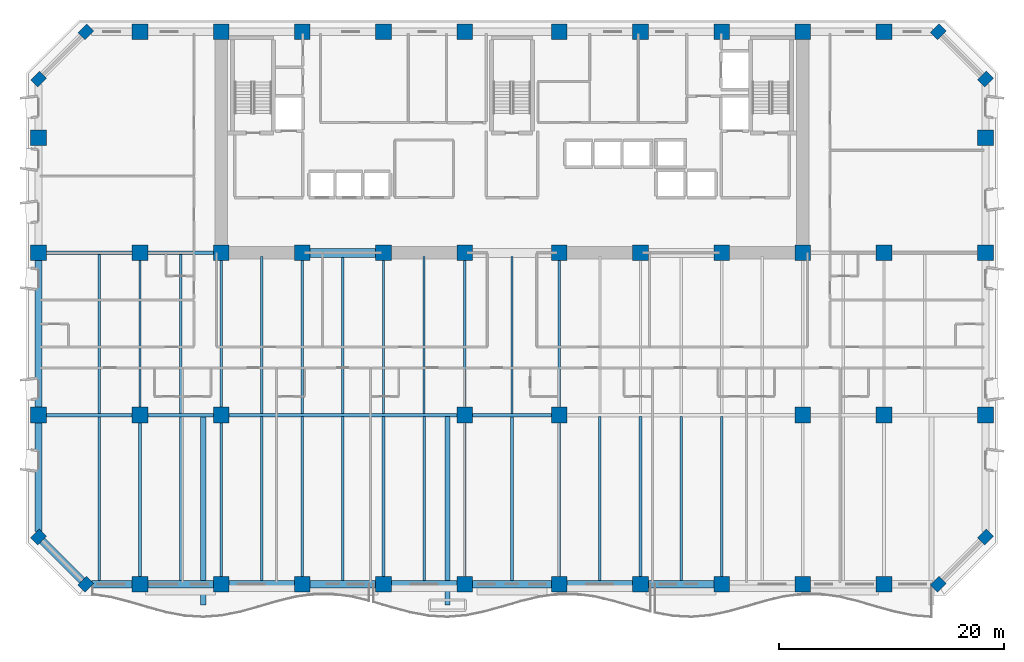
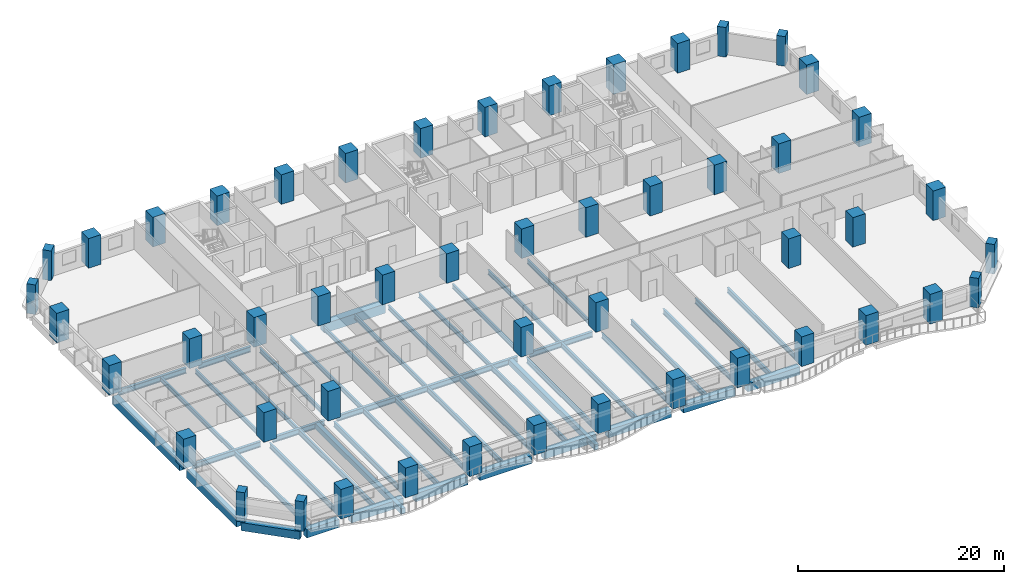
# One storey, part 1 of 15: 50 columns, 48 beams.
"""IFC4 building model written with IfcOpenShell, lengths in metres."""

from ifc_helpers import new_model, si_unit, direction, frame, origin, origin_2d, place, context, subcontext, project, spatial, rectangle, i_section, extrude, material, material_profile, profile_set, type_object, element, save


model = new_model("IFC4")

# Units and contexts
model_context = context("Model", 3, precision=1e-05, world=origin(), true_north=direction((0.0, 1.0)))
body_context = subcontext(model_context, "Body", "Model", "MODEL_VIEW")
ifc_project = project(units=[si_unit("LENGTHUNIT", "METRE"), si_unit("AREAUNIT", "SQUARE_METRE"), si_unit("VOLUMEUNIT", "CUBIC_METRE"), si_unit("PLANEANGLEUNIT", "RADIAN"), si_unit("MASSUNIT", "GRAM", prefix="KILO")], contexts=[model_context])

# Site, building, storey
site_placement = place(None, origin())
site = spatial("IfcSite", under=ifc_project, at=site_placement, CompositionType="ELEMENT")
building_placement = place(site_placement, origin())
building = spatial("IfcBuilding", under=site, at=building_placement, Name="Kaelvorn Grand Hotel", CompositionType="ELEMENT")
storey_placement = place(building_placement, frame((0.0, 0.0, 72.64990234375)))
storey = spatial("IfcBuildingStorey", under=building, at=storey_placement, Name="L16", CompositionType="ELEMENT", Elevation=72.64990234375)

# Columns
ifc_material_1 = material(Name="Concrete C80/95", Category="concrete")
ifc_material_profile_1 = material_profile(ifc_material_1, rectangle(XDim=1.10009765625, YDim=0.89990234375, at=origin_2d()), Name="RC PILASTER 1100x900")
ifc_profile_set_1 = profile_set([ifc_material_profile_1], Name="Concrete C80/95")
column_type_1 = type_object("IfcColumnType", Name="COL-PIL-1100x900-C80", PredefinedType="PILASTER", material=ifc_profile_set_1)
for number, where, z_axis, x_axis, name in (
    (1, (4.199951171875, 0.0, 0.0), (0.0, 0.0, 1.0), (0.707106781187, 0.707106781187, 0.0), "L16 Structural Column CH-01"),
    (2, (79.800048828125, 0.0, 0.0), (0.0, 0.0, 1.0), (0.707106781187, 0.707106781187, 0.0), "L16 Structural Column CH-02"),
    (3, (84.0, 4.199951171875, 0.0), (0.0, 0.0, 1.0), (0.707106781187, 0.707106781187, 0.0), "L16 Structural Column CH-03"),
    (4, (84.0, 44.800048828125, 0.0), (0.0, 0.0, 1.0), (0.707106781187, 0.707106781187, 0.0), "L16 Structural Column CH-04"),
    (5, (79.800048828125, 49.0, 0.0), (0.0, 0.0, 1.0), (0.707106781187, 0.707106781187, 0.0), "L16 Structural Column CH-05"),
    (6, (4.199951171875, 49.0, 0.0), (0.0, 0.0, 1.0), (0.707106781187, 0.707106781187, 0.0), "L16 Structural Column CH-06"),
    (7, (0.0, 44.800048828125, 0.0), (0.0, 0.0, 1.0), (0.707106781187, 0.707106781187, 0.0), "L16 Structural Column CH-07"),
    (8, (0.0, 4.199951171875, 0.0), (0.0, 0.0, 1.0), (0.707106781187, 0.707106781187, 0.0), "L16 Structural Column CH-08"),
):
    element("IfcColumn", number, at=place(storey_placement, frame(where, z_axis=z_axis, x_axis=x_axis)), inside=storey, type_object=column_type_1, Name=name, PredefinedType="PILASTER", context=body_context, shape_type="SweptSolid", body=[
        extrude(rectangle(XDim=1.10009765625, YDim=0.89990234375, at=origin_2d()), origin(), (0.0, 0.0, 1.0), 3.510009765625),
    ])
ifc_material_profile_2 = material_profile(ifc_material_1, rectangle(XDim=1.39990234375, YDim=1.39990234375, at=origin_2d()), Name="RC COL 1400x1400")
ifc_profile_set_2 = profile_set([ifc_material_profile_2], Name="Concrete C80/95")
column_type_2 = type_object("IfcColumnType", Name="COL-RC-1400-C80", PredefinedType="COLUMN", material=ifc_profile_set_2)
for number, where, z_axis, x_axis, name in (
    (9, (9.0, 0.0, 0.0), (0.0, 0.0, 1.0), (1.0, 0.0, 0.0), "L16 Structural Column S-01"),
    (10, (16.199951171875, 0.0, 0.0), (0.0, 0.0, 1.0), (1.0, 0.0, 0.0), "L16 Structural Column S-02"),
    (11, (23.39990234375, 0.0, 0.0), (0.0, 0.0, 1.0), (1.0, 0.0, 0.0), "L16 Structural Column S-03"),
    (12, (30.60009765625, 0.0, 0.0), (0.0, 0.0, 1.0), (1.0, 0.0, 0.0), "L16 Structural Column S-04"),
    (13, (37.800048828125, 0.0, 0.0), (0.0, 0.0, 1.0), (1.0, 0.0, 0.0), "L16 Structural Column S-05"),
    (14, (46.199951171875, 0.0, 0.0), (0.0, 0.0, 1.0), (1.0, 0.0, 0.0), "L16 Structural Column S-06"),
    (15, (53.39990234375, 0.0, 0.0), (0.0, 0.0, 1.0), (1.0, 0.0, 0.0), "L16 Structural Column S-07"),
    (16, (60.60009765625, 0.0, 0.0), (0.0, 0.0, 1.0), (1.0, 0.0, 0.0), "L16 Structural Column S-08"),
    (17, (67.800048828125, 0.0, 0.0), (0.0, 0.0, 1.0), (1.0, 0.0, 0.0), "L16 Structural Column S-09"),
    (18, (75.0, 0.0, 0.0), (0.0, 0.0, 1.0), (1.0, 0.0, 0.0), "L16 Structural Column S-10"),
    (19, (0.0, 15.0, 0.0), (0.0, 0.0, 1.0), (1.0, 0.0, 0.0), "L16 Structural Column W-01"),
    (20, (84.0, 15.0, 0.0), (0.0, 0.0, 1.0), (1.0, 0.0, 0.0), "L16 Structural Column E-01"),
    (21, (0.0, 29.39990234375, 0.0), (0.0, 0.0, 1.0), (1.0, 0.0, 0.0), "L16 Structural Column W-02"),
    (22, (84.0, 29.39990234375, 0.0), (0.0, 0.0, 1.0), (1.0, 0.0, 0.0), "L16 Structural Column E-02"),
    (23, (0.0, 39.60009765625, 0.0), (0.0, 0.0, 1.0), (1.0, 0.0, 0.0), "L16 Structural Column W-03"),
    (24, (84.0, 39.60009765625, 0.0), (0.0, 0.0, 1.0), (1.0, 0.0, 0.0), "L16 Structural Column E-03"),
    (25, (9.0, 15.0, 0.0), (0.0, 0.0, 1.0), (1.0, 0.0, 0.0), "L16 Structural Column M-01"),
    (26, (16.199951171875, 15.0, 0.0), (0.0, 0.0, 1.0), (1.0, 0.0, 0.0), "L16 Structural Column M-02"),
    (27, (37.800048828125, 15.0, 0.0), (0.0, 0.0, 1.0), (1.0, 0.0, 0.0), "L16 Structural Column M-03"),
    (28, (46.199951171875, 15.0, 0.0), (0.0, 0.0, 1.0), (1.0, 0.0, 0.0), "L16 Structural Column M-04"),
    (29, (67.800048828125, 15.0, 0.0), (0.0, 0.0, 1.0), (1.0, 0.0, 0.0), "L16 Structural Column M-05"),
    (30, (75.0, 15.0, 0.0), (0.0, 0.0, 1.0), (1.0, 0.0, 0.0), "L16 Structural Column M-06"),
    (31, (9.0, 29.39990234375, 0.0), (0.0, 0.0, 1.0), (1.0, 0.0, 0.0), "L16 Structural Column CR1-01"),
    (32, (9.0, 49.0, 0.0), (0.0, 0.0, 1.0), (1.0, 0.0, 0.0), "L16 Structural Column CR2-01"),
    (33, (16.199951171875, 29.39990234375, 0.0), (0.0, 0.0, 1.0), (1.0, 0.0, 0.0), "L16 Structural Column CR1-02"),
    (34, (16.199951171875, 49.0, 0.0), (0.0, 0.0, 1.0), (1.0, 0.0, 0.0), "L16 Structural Column CR2-02"),
    (35, (23.39990234375, 29.39990234375, 0.0), (0.0, 0.0, 1.0), (1.0, 0.0, 0.0), "L16 Structural Column CR1-03"),
    (36, (23.39990234375, 49.0, 0.0), (0.0, 0.0, 1.0), (1.0, 0.0, 0.0), "L16 Structural Column CR2-03"),
    (37, (30.60009765625, 29.39990234375, 0.0), (0.0, 0.0, 1.0), (1.0, 0.0, 0.0), "L16 Structural Column CR1-04"),
    (38, (30.60009765625, 49.0, 0.0), (0.0, 0.0, 1.0), (1.0, 0.0, 0.0), "L16 Structural Column CR2-04"),
    (39, (37.800048828125, 29.39990234375, 0.0), (0.0, 0.0, 1.0), (1.0, 0.0, 0.0), "L16 Structural Column CR1-05"),
    (40, (37.800048828125, 49.0, 0.0), (0.0, 0.0, 1.0), (1.0, 0.0, 0.0), "L16 Structural Column CR2-05"),
    (41, (46.199951171875, 29.39990234375, 0.0), (0.0, 0.0, 1.0), (1.0, 0.0, 0.0), "L16 Structural Column CR1-06"),
    (42, (46.199951171875, 49.0, 0.0), (0.0, 0.0, 1.0), (1.0, 0.0, 0.0), "L16 Structural Column CR2-06"),
    (43, (53.39990234375, 29.39990234375, 0.0), (0.0, 0.0, 1.0), (1.0, 0.0, 0.0), "L16 Structural Column CR1-07"),
    (44, (53.39990234375, 49.0, 0.0), (0.0, 0.0, 1.0), (1.0, 0.0, 0.0), "L16 Structural Column CR2-07"),
    (45, (60.60009765625, 29.39990234375, 0.0), (0.0, 0.0, 1.0), (1.0, 0.0, 0.0), "L16 Structural Column CR1-08"),
    (46, (60.60009765625, 49.0, 0.0), (0.0, 0.0, 1.0), (1.0, 0.0, 0.0), "L16 Structural Column CR2-08"),
    (47, (67.800048828125, 29.39990234375, 0.0), (0.0, 0.0, 1.0), (1.0, 0.0, 0.0), "L16 Structural Column CR1-09"),
    (48, (67.800048828125, 49.0, 0.0), (0.0, 0.0, 1.0), (1.0, 0.0, 0.0), "L16 Structural Column CR2-09"),
    (49, (75.0, 29.39990234375, 0.0), (0.0, 0.0, 1.0), (1.0, 0.0, 0.0), "L16 Structural Column CR1-10"),
    (50, (75.0, 49.0, 0.0), (0.0, 0.0, 1.0), (1.0, 0.0, 0.0), "L16 Structural Column CR2-10"),
):
    element("IfcColumn", number, at=place(storey_placement, frame(where, z_axis=z_axis, x_axis=x_axis)), inside=storey, type_object=column_type_2, Name=name, PredefinedType="COLUMN", context=body_context, shape_type="SweptSolid", body=[
        extrude(rectangle(XDim=1.39990234375, YDim=1.39990234375, at=origin_2d()), origin(), (0.0, 0.0, 1.0), 3.510009765625),
    ])

# Beams
ifc_material_2 = material(Name="Steel S355", Category="steel")
ifc_material_profile_3 = material_profile(ifc_material_2, i_section(OverallWidth=0.300048828125, OverallDepth=0.64990234375, WebThickness=0.01611328125, FlangeThickness=0.031005859375, FilletRadius=0.027099609375, at=origin_2d()), Name="HEB 650")
ifc_profile_set_3 = profile_set([ifc_material_profile_3], Name="Steel S355")
beam_type_1 = type_object("IfcBeamType", Name="BM-G-HEB650-S355", PredefinedType="BEAM", material=ifc_profile_set_3)
beam_1_placement = place(storey_placement, frame((0.68505859375, 15.0, -0.56494140625), z_axis=(1.0, 0.0, 0.0), x_axis=(0.0, 1.0, 0.0)))
element("IfcBeam", 51, at=beam_1_placement, inside=storey, type_object=beam_type_1, Name="L16 Primary Spine Steel Girder G-15 01", PredefinedType="BEAM", context=body_context, shape_type="SweptSolid", body=[
    extrude(i_section(OverallWidth=0.300048828125, OverallDepth=0.64990234375, WebThickness=0.01611328125, FlangeThickness=0.031005859375, FilletRadius=0.027099609375, at=origin_2d()), origin(), (0.0, 0.0, 1.0), 7.6298828125),
])
beam_2_placement = place(storey_placement, frame((9.68505859375, 15.0, -0.56494140625), z_axis=(1.0, 0.0, 0.0), x_axis=(0.0, 1.0, 0.0)))
element("IfcBeam", 52, at=beam_2_placement, inside=storey, type_object=beam_type_1, Name="L16 Primary Spine Steel Girder G-15 02", PredefinedType="BEAM", context=body_context, shape_type="SweptSolid", body=[
    extrude(i_section(OverallWidth=0.300048828125, OverallDepth=0.64990234375, WebThickness=0.01611328125, FlangeThickness=0.031005859375, FilletRadius=0.027099609375, at=origin_2d()), origin(), (0.0, 0.0, 1.0), 5.829833984375),
])
beam_3_placement = place(storey_placement, frame((16.885009765625, 15.0, -0.56494140625), z_axis=(1.0, 0.0, 0.0), x_axis=(0.0, 1.0, 0.0)))
element("IfcBeam", 53, at=beam_3_placement, inside=storey, type_object=beam_type_1, Name="L16 Primary Spine Steel Girder G-15 03", PredefinedType="BEAM", context=body_context, shape_type="SweptSolid", body=[
    extrude(i_section(OverallWidth=0.300048828125, OverallDepth=0.64990234375, WebThickness=0.01611328125, FlangeThickness=0.031005859375, FilletRadius=0.027099609375, at=origin_2d()), origin(), (0.0, 0.0, 1.0), 20.22998046875),
])
beam_4_placement = place(storey_placement, frame((38.485107421875, 15.0, -0.56494140625), z_axis=(1.0, 0.0, 0.0), x_axis=(0.0, 1.0, 0.0)))
element("IfcBeam", 54, at=beam_4_placement, inside=storey, type_object=beam_type_1, Name="L16 Primary Spine Steel Girder G-15 04", PredefinedType="BEAM", context=body_context, shape_type="SweptSolid", body=[
    extrude(i_section(OverallWidth=0.300048828125, OverallDepth=0.64990234375, WebThickness=0.01611328125, FlangeThickness=0.031005859375, FilletRadius=0.027099609375, at=origin_2d()), origin(), (0.0, 0.0, 1.0), 7.02978515625),
])
beam_5_placement = place(storey_placement, frame((0.68505859375, 29.39990234375, -0.56494140625), z_axis=(1.0, 0.0, 0.0), x_axis=(0.0, 1.0, 0.0)))
element("IfcBeam", 55, at=beam_5_placement, inside=storey, type_object=beam_type_1, Name="L16 West Core Wing Steel Girder G-29W 01", PredefinedType="BEAM", context=body_context, shape_type="SweptSolid", body=[
    extrude(i_section(OverallWidth=0.300048828125, OverallDepth=0.64990234375, WebThickness=0.01611328125, FlangeThickness=0.031005859375, FilletRadius=0.027099609375, at=origin_2d()), origin(), (0.0, 0.0, 1.0), 7.6298828125),
])
beam_6_placement = place(storey_placement, frame((9.68505859375, 29.39990234375, -0.56494140625), z_axis=(1.0, 0.0, 0.0), x_axis=(0.0, 1.0, 0.0)))
element("IfcBeam", 56, at=beam_6_placement, inside=storey, type_object=beam_type_1, Name="L16 West Core Wing Steel Girder G-29W 02", PredefinedType="BEAM", context=body_context, shape_type="SweptSolid", body=[
    extrude(i_section(OverallWidth=0.300048828125, OverallDepth=0.64990234375, WebThickness=0.01611328125, FlangeThickness=0.031005859375, FilletRadius=0.027099609375, at=origin_2d()), origin(), (0.0, 0.0, 1.0), 5.829833984375),
])
ifc_material_profile_4 = material_profile(ifc_material_2, i_section(OverallWidth=0.209228515625, OverallDepth=0.533203125, WebThickness=0.010009765625, FlangeThickness=0.015625, FilletRadius=0.0126953125, at=origin_2d()), Name="UB 533x210x92")
ifc_profile_set_4 = profile_set([ifc_material_profile_4], Name="Steel S355")
beam_type_2 = type_object("IfcBeamType", Name="BM-J-UB533-S355", PredefinedType="JOIST", material=ifc_profile_set_4)
beam_7_placement = place(storey_placement, frame((5.39990234375, 15.135009765625, -0.50634765625), z_axis=(0.0, 1.0, 0.0), x_axis=(-1.0, 0.0, 0.0)))
element("IfcBeam", 57, at=beam_7_placement, inside=storey, type_object=beam_type_2, Name="L16 Composite Floor Joist JM-02", PredefinedType="JOIST", context=body_context, shape_type="SweptSolid", body=[
    extrude(i_section(OverallWidth=0.209228515625, OverallDepth=0.533203125, WebThickness=0.010009765625, FlangeThickness=0.015625, FilletRadius=0.0126953125, at=origin_2d()), origin(), (0.0, 0.0, 1.0), 14.1298828125),
])
beam_8_placement = place(storey_placement, frame((9.0, 15.68505859375, -0.50634765625), z_axis=(0.0, 1.0, 0.0), x_axis=(-1.0, 0.0, 0.0)))
element("IfcBeam", 58, at=beam_8_placement, inside=storey, type_object=beam_type_2, Name="L16 Composite Floor Joist JM-03", PredefinedType="JOIST", context=body_context, shape_type="SweptSolid", body=[
    extrude(i_section(OverallWidth=0.209228515625, OverallDepth=0.533203125, WebThickness=0.010009765625, FlangeThickness=0.015625, FilletRadius=0.0126953125, at=origin_2d()), origin(), (0.0, 0.0, 1.0), 13.030029296875),
])
beam_9_placement = place(storey_placement, frame((12.60009765625, 15.135009765625, -0.50634765625), z_axis=(0.0, 1.0, 0.0), x_axis=(-1.0, 0.0, 0.0)))
element("IfcBeam", 59, at=beam_9_placement, inside=storey, type_object=beam_type_2, Name="L16 Composite Floor Joist JM-04", PredefinedType="JOIST", context=body_context, shape_type="SweptSolid", body=[
    extrude(i_section(OverallWidth=0.209228515625, OverallDepth=0.533203125, WebThickness=0.010009765625, FlangeThickness=0.015625, FilletRadius=0.0126953125, at=origin_2d()), origin(), (0.0, 0.0, 1.0), 14.1298828125),
])
beam_10_placement = place(storey_placement, frame((16.199951171875, 15.68505859375, -0.50634765625), z_axis=(0.0, 1.0, 0.0), x_axis=(-1.0, 0.0, 0.0)))
element("IfcBeam", 60, at=beam_10_placement, inside=storey, type_object=beam_type_2, Name="L16 Composite Floor Joist JM-05", PredefinedType="JOIST", context=body_context, shape_type="SweptSolid", body=[
    extrude(i_section(OverallWidth=0.209228515625, OverallDepth=0.533203125, WebThickness=0.010009765625, FlangeThickness=0.015625, FilletRadius=0.0126953125, at=origin_2d()), origin(), (0.0, 0.0, 1.0), 13.030029296875),
])
beam_11_placement = place(storey_placement, frame((19.800048828125, 15.135009765625, -0.50634765625), z_axis=(0.0, 1.0, 0.0), x_axis=(-1.0, 0.0, 0.0)))
element("IfcBeam", 61, at=beam_11_placement, inside=storey, type_object=beam_type_2, Name="L16 Composite Floor Joist JM-06", PredefinedType="JOIST", context=body_context, shape_type="SweptSolid", body=[
    extrude(i_section(OverallWidth=0.209228515625, OverallDepth=0.533203125, WebThickness=0.010009765625, FlangeThickness=0.015625, FilletRadius=0.0126953125, at=origin_2d()), origin(), (0.0, 0.0, 1.0), 13.925048828125),
])
beam_12_placement = place(storey_placement, frame((23.39990234375, 15.135009765625, -0.50634765625), z_axis=(0.0, 1.0, 0.0), x_axis=(-1.0, 0.0, 0.0)))
element("IfcBeam", 62, at=beam_12_placement, inside=storey, type_object=beam_type_2, Name="L16 Composite Floor Joist JM-07", PredefinedType="JOIST", context=body_context, shape_type="SweptSolid", body=[
    extrude(i_section(OverallWidth=0.209228515625, OverallDepth=0.533203125, WebThickness=0.010009765625, FlangeThickness=0.015625, FilletRadius=0.0126953125, at=origin_2d()), origin(), (0.0, 0.0, 1.0), 13.580078125),
])
beam_13_placement = place(storey_placement, frame((27.0, 15.135009765625, -0.50634765625), z_axis=(0.0, 1.0, 0.0), x_axis=(-1.0, 0.0, 0.0)))
element("IfcBeam", 63, at=beam_13_placement, inside=storey, type_object=beam_type_2, Name="L16 Composite Floor Joist JM-08", PredefinedType="JOIST", context=body_context, shape_type="SweptSolid", body=[
    extrude(i_section(OverallWidth=0.209228515625, OverallDepth=0.533203125, WebThickness=0.010009765625, FlangeThickness=0.015625, FilletRadius=0.0126953125, at=origin_2d()), origin(), (0.0, 0.0, 1.0), 13.925048828125),
])
beam_14_placement = place(storey_placement, frame((30.60009765625, 15.135009765625, -0.50634765625), z_axis=(0.0, 1.0, 0.0), x_axis=(-1.0, 0.0, 0.0)))
element("IfcBeam", 64, at=beam_14_placement, inside=storey, type_object=beam_type_2, Name="L16 Composite Floor Joist JM-09", PredefinedType="JOIST", context=body_context, shape_type="SweptSolid", body=[
    extrude(i_section(OverallWidth=0.209228515625, OverallDepth=0.533203125, WebThickness=0.010009765625, FlangeThickness=0.015625, FilletRadius=0.0126953125, at=origin_2d()), origin(), (0.0, 0.0, 1.0), 13.580078125),
])
beam_15_placement = place(storey_placement, frame((34.199951171875, 15.135009765625, -0.50634765625), z_axis=(0.0, 1.0, 0.0), x_axis=(-1.0, 0.0, 0.0)))
element("IfcBeam", 65, at=beam_15_placement, inside=storey, type_object=beam_type_2, Name="L16 Composite Floor Joist JM-10", PredefinedType="JOIST", context=body_context, shape_type="SweptSolid", body=[
    extrude(i_section(OverallWidth=0.209228515625, OverallDepth=0.533203125, WebThickness=0.010009765625, FlangeThickness=0.015625, FilletRadius=0.0126953125, at=origin_2d()), origin(), (0.0, 0.0, 1.0), 13.925048828125),
])
beam_16_placement = place(storey_placement, frame((37.800048828125, 15.68505859375, -0.50634765625), z_axis=(0.0, 1.0, 0.0), x_axis=(-1.0, 0.0, 0.0)))
element("IfcBeam", 66, at=beam_16_placement, inside=storey, type_object=beam_type_2, Name="L16 Composite Floor Joist JM-11", PredefinedType="JOIST", context=body_context, shape_type="SweptSolid", body=[
    extrude(i_section(OverallWidth=0.209228515625, OverallDepth=0.533203125, WebThickness=0.010009765625, FlangeThickness=0.015625, FilletRadius=0.0126953125, at=origin_2d()), origin(), (0.0, 0.0, 1.0), 13.030029296875),
])
beam_17_placement = place(storey_placement, frame((42.0, 15.135009765625, -0.50634765625), z_axis=(0.0, 1.0, 0.0), x_axis=(-1.0, 0.0, 0.0)))
element("IfcBeam", 67, at=beam_17_placement, inside=storey, type_object=beam_type_2, Name="L16 Composite Floor Joist JM-12", PredefinedType="JOIST", context=body_context, shape_type="SweptSolid", body=[
    extrude(i_section(OverallWidth=0.209228515625, OverallDepth=0.533203125, WebThickness=0.010009765625, FlangeThickness=0.015625, FilletRadius=0.0126953125, at=origin_2d()), origin(), (0.0, 0.0, 1.0), 13.925048828125),
])
beam_18_placement = place(storey_placement, frame((46.199951171875, 15.68505859375, -0.50634765625), z_axis=(0.0, 1.0, 0.0), x_axis=(-1.0, 0.0, 0.0)))
element("IfcBeam", 68, at=beam_18_placement, inside=storey, type_object=beam_type_2, Name="L16 Composite Floor Joist JM-13", PredefinedType="JOIST", context=body_context, shape_type="SweptSolid", body=[
    extrude(i_section(OverallWidth=0.209228515625, OverallDepth=0.533203125, WebThickness=0.010009765625, FlangeThickness=0.015625, FilletRadius=0.0126953125, at=origin_2d()), origin(), (0.0, 0.0, 1.0), 13.030029296875),
])
ifc_material_profile_5 = material_profile(ifc_material_2, i_section(OverallWidth=0.22900390625, OverallDepth=0.6123046875, WebThickness=0.011962890625, FlangeThickness=0.01953125, FilletRadius=0.0126953125, at=origin_2d()), Name="UB 610x229x125")
ifc_profile_set_5 = profile_set([ifc_material_profile_5], Name="Steel S355")
beam_type_3 = type_object("IfcBeamType", Name="BM-J-UB610-S355", PredefinedType="JOIST", material=ifc_profile_set_5)
beam_19_placement = place(storey_placement, frame((5.39990234375, 0.31005859375, -0.5458984375), z_axis=(0.0, 1.0, 0.0), x_axis=(-1.0, 0.0, 0.0)))
element("IfcBeam", 69, at=beam_19_placement, inside=storey, type_object=beam_type_3, Name="L16 Composite Floor Joist JS-02", PredefinedType="JOIST", context=body_context, shape_type="SweptSolid", body=[
    extrude(i_section(OverallWidth=0.22900390625, OverallDepth=0.6123046875, WebThickness=0.011962890625, FlangeThickness=0.01953125, FilletRadius=0.0126953125, at=origin_2d()), origin(), (0.0, 0.0, 1.0), 14.554931640625),
])
beam_20_placement = place(storey_placement, frame((9.0, 0.68505859375, -0.5458984375), z_axis=(0.0, 1.0, 0.0), x_axis=(-1.0, 0.0, 0.0)))
element("IfcBeam", 70, at=beam_20_placement, inside=storey, type_object=beam_type_3, Name="L16 Composite Floor Joist JS-03", PredefinedType="JOIST", context=body_context, shape_type="SweptSolid", body=[
    extrude(i_section(OverallWidth=0.22900390625, OverallDepth=0.6123046875, WebThickness=0.011962890625, FlangeThickness=0.01953125, FilletRadius=0.0126953125, at=origin_2d()), origin(), (0.0, 0.0, 1.0), 13.6298828125),
])
beam_21_placement = place(storey_placement, frame((12.60009765625, 0.31005859375, -0.5458984375), z_axis=(0.0, 1.0, 0.0), x_axis=(-1.0, 0.0, 0.0)))
element("IfcBeam", 71, at=beam_21_placement, inside=storey, type_object=beam_type_3, Name="L16 Composite Floor Joist JS-04", PredefinedType="JOIST", context=body_context, shape_type="SweptSolid", body=[
    extrude(i_section(OverallWidth=0.22900390625, OverallDepth=0.6123046875, WebThickness=0.011962890625, FlangeThickness=0.01953125, FilletRadius=0.0126953125, at=origin_2d()), origin(), (0.0, 0.0, 1.0), 14.554931640625),
])
beam_22_placement = place(storey_placement, frame((16.199951171875, 0.68505859375, -0.5458984375), z_axis=(0.0, 1.0, 0.0), x_axis=(-1.0, 0.0, 0.0)))
element("IfcBeam", 72, at=beam_22_placement, inside=storey, type_object=beam_type_3, Name="L16 Composite Floor Joist JS-05", PredefinedType="JOIST", context=body_context, shape_type="SweptSolid", body=[
    extrude(i_section(OverallWidth=0.22900390625, OverallDepth=0.6123046875, WebThickness=0.011962890625, FlangeThickness=0.01953125, FilletRadius=0.0126953125, at=origin_2d()), origin(), (0.0, 0.0, 1.0), 13.6298828125),
])
beam_23_placement = place(storey_placement, frame((19.800048828125, 0.31005859375, -0.5458984375), z_axis=(0.0, 1.0, 0.0), x_axis=(-1.0, 0.0, 0.0)))
element("IfcBeam", 73, at=beam_23_placement, inside=storey, type_object=beam_type_3, Name="L16 Composite Floor Joist JS-06", PredefinedType="JOIST", context=body_context, shape_type="SweptSolid", body=[
    extrude(i_section(OverallWidth=0.22900390625, OverallDepth=0.6123046875, WebThickness=0.011962890625, FlangeThickness=0.01953125, FilletRadius=0.0126953125, at=origin_2d()), origin(), (0.0, 0.0, 1.0), 14.554931640625),
])
beam_24_placement = place(storey_placement, frame((23.39990234375, 0.68505859375, -0.5458984375), z_axis=(0.0, 1.0, 0.0), x_axis=(-1.0, 0.0, 0.0)))
element("IfcBeam", 74, at=beam_24_placement, inside=storey, type_object=beam_type_3, Name="L16 Composite Floor Joist JS-07", PredefinedType="JOIST", context=body_context, shape_type="SweptSolid", body=[
    extrude(i_section(OverallWidth=0.22900390625, OverallDepth=0.6123046875, WebThickness=0.011962890625, FlangeThickness=0.01953125, FilletRadius=0.0126953125, at=origin_2d()), origin(), (0.0, 0.0, 1.0), 14.179931640625),
])
beam_25_placement = place(storey_placement, frame((27.0, 0.31005859375, -0.5458984375), z_axis=(0.0, 1.0, 0.0), x_axis=(-1.0, 0.0, 0.0)))
element("IfcBeam", 75, at=beam_25_placement, inside=storey, type_object=beam_type_3, Name="L16 Composite Floor Joist JS-08", PredefinedType="JOIST", context=body_context, shape_type="SweptSolid", body=[
    extrude(i_section(OverallWidth=0.22900390625, OverallDepth=0.6123046875, WebThickness=0.011962890625, FlangeThickness=0.01953125, FilletRadius=0.0126953125, at=origin_2d()), origin(), (0.0, 0.0, 1.0), 14.554931640625),
])
beam_26_placement = place(storey_placement, frame((30.60009765625, 0.68505859375, -0.5458984375), z_axis=(0.0, 1.0, 0.0), x_axis=(-1.0, 0.0, 0.0)))
element("IfcBeam", 76, at=beam_26_placement, inside=storey, type_object=beam_type_3, Name="L16 Composite Floor Joist JS-09", PredefinedType="JOIST", context=body_context, shape_type="SweptSolid", body=[
    extrude(i_section(OverallWidth=0.22900390625, OverallDepth=0.6123046875, WebThickness=0.011962890625, FlangeThickness=0.01953125, FilletRadius=0.0126953125, at=origin_2d()), origin(), (0.0, 0.0, 1.0), 14.179931640625),
])
beam_27_placement = place(storey_placement, frame((34.199951171875, 0.31005859375, -0.5458984375), z_axis=(0.0, 1.0, 0.0), x_axis=(-1.0, 0.0, 0.0)))
element("IfcBeam", 77, at=beam_27_placement, inside=storey, type_object=beam_type_3, Name="L16 Composite Floor Joist JS-10", PredefinedType="JOIST", context=body_context, shape_type="SweptSolid", body=[
    extrude(i_section(OverallWidth=0.22900390625, OverallDepth=0.6123046875, WebThickness=0.011962890625, FlangeThickness=0.01953125, FilletRadius=0.0126953125, at=origin_2d()), origin(), (0.0, 0.0, 1.0), 14.554931640625),
])
beam_28_placement = place(storey_placement, frame((37.800048828125, 0.68505859375, -0.5458984375), z_axis=(0.0, 1.0, 0.0), x_axis=(-1.0, 0.0, 0.0)))
element("IfcBeam", 78, at=beam_28_placement, inside=storey, type_object=beam_type_3, Name="L16 Composite Floor Joist JS-11", PredefinedType="JOIST", context=body_context, shape_type="SweptSolid", body=[
    extrude(i_section(OverallWidth=0.22900390625, OverallDepth=0.6123046875, WebThickness=0.011962890625, FlangeThickness=0.01953125, FilletRadius=0.0126953125, at=origin_2d()), origin(), (0.0, 0.0, 1.0), 13.6298828125),
])
beam_29_placement = place(storey_placement, frame((42.0, 0.31005859375, -0.5458984375), z_axis=(0.0, 1.0, 0.0), x_axis=(-1.0, 0.0, 0.0)))
element("IfcBeam", 79, at=beam_29_placement, inside=storey, type_object=beam_type_3, Name="L16 Composite Floor Joist JS-12", PredefinedType="JOIST", context=body_context, shape_type="SweptSolid", body=[
    extrude(i_section(OverallWidth=0.22900390625, OverallDepth=0.6123046875, WebThickness=0.011962890625, FlangeThickness=0.01953125, FilletRadius=0.0126953125, at=origin_2d()), origin(), (0.0, 0.0, 1.0), 14.554931640625),
])
beam_30_placement = place(storey_placement, frame((46.199951171875, 0.68505859375, -0.5458984375), z_axis=(0.0, 1.0, 0.0), x_axis=(-1.0, 0.0, 0.0)))
element("IfcBeam", 80, at=beam_30_placement, inside=storey, type_object=beam_type_3, Name="L16 Composite Floor Joist JS-13", PredefinedType="JOIST", context=body_context, shape_type="SweptSolid", body=[
    extrude(i_section(OverallWidth=0.22900390625, OverallDepth=0.6123046875, WebThickness=0.011962890625, FlangeThickness=0.01953125, FilletRadius=0.0126953125, at=origin_2d()), origin(), (0.0, 0.0, 1.0), 13.6298828125),
])
beam_31_placement = place(storey_placement, frame((49.800048828125, 0.31005859375, -0.5458984375), z_axis=(0.0, 1.0, 0.0), x_axis=(-1.0, 0.0, 0.0)))
element("IfcBeam", 81, at=beam_31_placement, inside=storey, type_object=beam_type_3, Name="L16 Composite Floor Joist JS-14", PredefinedType="JOIST", context=body_context, shape_type="SweptSolid", body=[
    extrude(i_section(OverallWidth=0.22900390625, OverallDepth=0.6123046875, WebThickness=0.011962890625, FlangeThickness=0.01953125, FilletRadius=0.0126953125, at=origin_2d()), origin(), (0.0, 0.0, 1.0), 14.554931640625),
])
beam_32_placement = place(storey_placement, frame((53.39990234375, 0.68505859375, -0.5458984375), z_axis=(0.0, 1.0, 0.0), x_axis=(-1.0, 0.0, 0.0)))
element("IfcBeam", 82, at=beam_32_placement, inside=storey, type_object=beam_type_3, Name="L16 Composite Floor Joist JS-15", PredefinedType="JOIST", context=body_context, shape_type="SweptSolid", body=[
    extrude(i_section(OverallWidth=0.22900390625, OverallDepth=0.6123046875, WebThickness=0.011962890625, FlangeThickness=0.01953125, FilletRadius=0.0126953125, at=origin_2d()), origin(), (0.0, 0.0, 1.0), 14.179931640625),
])
beam_33_placement = place(storey_placement, frame((57.0, 0.31005859375, -0.5458984375), z_axis=(0.0, 1.0, 0.0), x_axis=(-1.0, 0.0, 0.0)))
element("IfcBeam", 83, at=beam_33_placement, inside=storey, type_object=beam_type_3, Name="L16 Composite Floor Joist JS-16", PredefinedType="JOIST", context=body_context, shape_type="SweptSolid", body=[
    extrude(i_section(OverallWidth=0.22900390625, OverallDepth=0.6123046875, WebThickness=0.011962890625, FlangeThickness=0.01953125, FilletRadius=0.0126953125, at=origin_2d()), origin(), (0.0, 0.0, 1.0), 14.554931640625),
])
beam_34_placement = place(storey_placement, frame((60.60009765625, 0.68505859375, -0.5458984375), z_axis=(0.0, 1.0, 0.0), x_axis=(-1.0, 0.0, 0.0)))
element("IfcBeam", 84, at=beam_34_placement, inside=storey, type_object=beam_type_3, Name="L16 Composite Floor Joist JS-17", PredefinedType="JOIST", context=body_context, shape_type="SweptSolid", body=[
    extrude(i_section(OverallWidth=0.22900390625, OverallDepth=0.6123046875, WebThickness=0.011962890625, FlangeThickness=0.01953125, FilletRadius=0.0126953125, at=origin_2d()), origin(), (0.0, 0.0, 1.0), 14.179931640625),
])
ifc_material_3 = material(Name="Concrete C60/75", Category="concrete")
ifc_material_profile_6 = material_profile(ifc_material_3, rectangle(XDim=0.800048828125, YDim=1.10009765625, at=origin_2d()), Name="RC LINTEL 800x1100")
ifc_profile_set_6 = profile_set([ifc_material_profile_6], Name="Concrete C60/75")
beam_type_4 = type_object("IfcBeamType", Name="BM-LIN-800x1100-C60", PredefinedType="LINTEL", material=ifc_profile_set_6)
beam_35_placement = place(storey_placement, frame((23.580078125, 29.39990234375, -0.789794921875), z_axis=(1.0, 0.0, 0.0), x_axis=(0.0, 1.0, 0.0)))
element("IfcBeam", 85, at=beam_35_placement, inside=storey, type_object=beam_type_4, Name="L16 Rear-Core Coupling Lintel Beam CB1-01", PredefinedType="LINTEL", context=body_context, shape_type="SweptSolid", body=[
    extrude(rectangle(XDim=0.800048828125, YDim=1.10009765625, at=origin_2d()), origin(), (0.0, 0.0, 1.0), 6.83984375),
])
ifc_material_4 = material(Name="Concrete C40/50", Category="concrete")
ifc_material_profile_7 = material_profile(ifc_material_4, rectangle(XDim=0.449951171875, YDim=0.64990234375, at=origin_2d()), Name="RC RIB 450x650")
ifc_profile_set_7 = profile_set([ifc_material_profile_7], Name="Concrete C40/50")
beam_type_5 = type_object("IfcBeamType", Name="BM-RIB-450x650-C40", PredefinedType="SPANDREL", material=ifc_profile_set_7)
for number, where, z_axis, x_axis, name in (
    (86, (14.61328125, -1.85009765625, -0.544921875), (0.0, 1.0, 0.0), (-1.0, 0.0, 0.0), "L16 Cantilevered Balcony Back-Span Rib RB1-1"),
    (87, (36.275634765625, -1.85009765625, -0.544921875), (0.0, 1.0, 0.0), (-1.0, 0.0, 0.0), "L16 Cantilevered Balcony Back-Span Rib RB1-2"),
):
    element("IfcBeam", number, at=place(storey_placement, frame(where, z_axis=z_axis, x_axis=x_axis)), inside=storey, type_object=beam_type_5, Name=name, PredefinedType="SPANDREL", context=body_context, shape_type="SweptSolid", body=[
        extrude(rectangle(XDim=0.449951171875, YDim=0.64990234375, at=origin_2d()), origin(), (0.0, 0.0, 1.0), 16.715087890625),
    ])
ifc_material_profile_8 = material_profile(ifc_material_3, rectangle(XDim=0.64990234375, YDim=0.949951171875, at=origin_2d()), Name="RC SPANDREL 650x950")
ifc_profile_set_8 = profile_set([ifc_material_profile_8], Name="Concrete C60/75")
beam_type_6 = type_object("IfcBeamType", Name="BM-SP-650x950-C60", PredefinedType="SPANDREL", material=ifc_profile_set_8)
beam_36_placement = place(storey_placement, frame((4.68505859375, 0.0, -0.71484375), z_axis=(1.0, 0.0, 0.0), x_axis=(0.0, 1.0, 0.0)))
element("IfcBeam", 88, at=beam_36_placement, inside=storey, type_object=beam_type_6, Name="L16 South Perimeter Spandrel 01", PredefinedType="SPANDREL", context=body_context, shape_type="SweptSolid", body=[
    extrude(rectangle(XDim=0.64990234375, YDim=0.949951171875, at=origin_2d()), origin(), (0.0, 0.0, 1.0), 3.6298828125),
])
beam_37_placement = place(storey_placement, frame((9.68505859375, 0.0, -0.71484375), z_axis=(1.0, 0.0, 0.0), x_axis=(0.0, 1.0, 0.0)))
element("IfcBeam", 89, at=beam_37_placement, inside=storey, type_object=beam_type_6, Name="L16 South Perimeter Spandrel 02", PredefinedType="SPANDREL", context=body_context, shape_type="SweptSolid", body=[
    extrude(rectangle(XDim=0.64990234375, YDim=0.949951171875, at=origin_2d()), origin(), (0.0, 0.0, 1.0), 5.829833984375),
])
for number, where, z_axis, x_axis, name in (
    (90, (16.885009765625, 0.0, -0.71484375), (1.0, 0.0, 0.0), (0.0, 1.0, 0.0), "L16 South Perimeter Spandrel 03"),
    (91, (24.0849609375, 0.0, -0.71484375), (1.0, 0.0, 0.0), (0.0, 1.0, 0.0), "L16 South Perimeter Spandrel 04"),
    (92, (31.284912109375, 0.0, -0.71484375), (1.0, 0.0, 0.0), (0.0, 1.0, 0.0), "L16 South Perimeter Spandrel 05"),
):
    element("IfcBeam", number, at=place(storey_placement, frame(where, z_axis=z_axis, x_axis=x_axis)), inside=storey, type_object=beam_type_6, Name=name, PredefinedType="SPANDREL", context=body_context, shape_type="SweptSolid", body=[
        extrude(rectangle(XDim=0.64990234375, YDim=0.949951171875, at=origin_2d()), origin(), (0.0, 0.0, 1.0), 5.830078125),
    ])
beam_38_placement = place(storey_placement, frame((38.485107421875, 0.0, -0.71484375), z_axis=(1.0, 0.0, 0.0), x_axis=(0.0, 1.0, 0.0)))
element("IfcBeam", 93, at=beam_38_placement, inside=storey, type_object=beam_type_6, Name="L16 South Perimeter Spandrel 06", PredefinedType="SPANDREL", context=body_context, shape_type="SweptSolid", body=[
    extrude(rectangle(XDim=0.64990234375, YDim=0.949951171875, at=origin_2d()), origin(), (0.0, 0.0, 1.0), 7.02978515625),
])
for number, where, z_axis, x_axis, name in (
    (94, (46.885009765625, 0.0, -0.71484375), (1.0, 0.0, 0.0), (0.0, 1.0, 0.0), "L16 South Perimeter Spandrel 07"),
    (95, (54.0849609375, 0.0, -0.71484375), (1.0, 0.0, 0.0), (0.0, 1.0, 0.0), "L16 South Perimeter Spandrel 08"),
):
    element("IfcBeam", number, at=place(storey_placement, frame(where, z_axis=z_axis, x_axis=x_axis)), inside=storey, type_object=beam_type_6, Name=name, PredefinedType="SPANDREL", context=body_context, shape_type="SweptSolid", body=[
        extrude(rectangle(XDim=0.64990234375, YDim=0.949951171875, at=origin_2d()), origin(), (0.0, 0.0, 1.0), 5.830078125),
    ])
beam_39_placement = place(storey_placement, frame((0.0, 4.68505859375, -0.71484375), z_axis=(0.0, 1.0, 0.0), x_axis=(-1.0, 0.0, 0.0)))
element("IfcBeam", 96, at=beam_39_placement, inside=storey, type_object=beam_type_6, Name="L16 West Perimeter Spandrel 01", PredefinedType="SPANDREL", context=body_context, shape_type="SweptSolid", body=[
    extrude(rectangle(XDim=0.64990234375, YDim=0.949951171875, at=origin_2d()), origin(), (0.0, 0.0, 1.0), 9.6298828125),
])
beam_40_placement = place(storey_placement, frame((0.0, 15.68505859375, -0.71484375), z_axis=(0.0, 1.0, 0.0), x_axis=(-1.0, 0.0, 0.0)))
element("IfcBeam", 97, at=beam_40_placement, inside=storey, type_object=beam_type_6, Name="L16 West Perimeter Spandrel 02", PredefinedType="SPANDREL", context=body_context, shape_type="SweptSolid", body=[
    extrude(rectangle(XDim=0.64990234375, YDim=0.949951171875, at=origin_2d()), origin(), (0.0, 0.0, 1.0), 13.030029296875),
])
beam_41_placement = place(storey_placement, frame((0.0, 4.199951171875, -0.71484375), z_axis=(0.707106781187, -0.707106781187, 0.0), x_axis=(0.707106781187, 0.707106781187, 0.0)))
element("IfcBeam", 98, at=beam_41_placement, inside=storey, type_object=beam_type_6, Name="L16 Chamfer Spandrel Beam 4", PredefinedType="SPANDREL", context=body_context, shape_type="SweptSolid", body=[
    extrude(rectangle(XDim=0.64990234375, YDim=0.949951171875, at=origin_2d()), origin(), (0.0, 0.0, 1.0), 5.939697265625),
])

save(model, "model.ifc")
